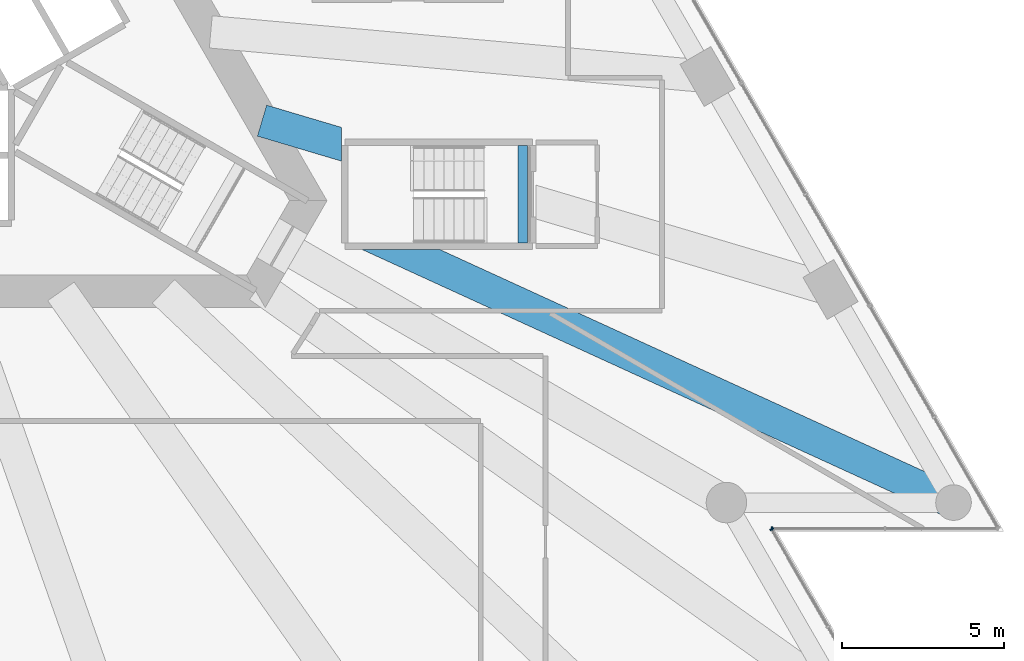
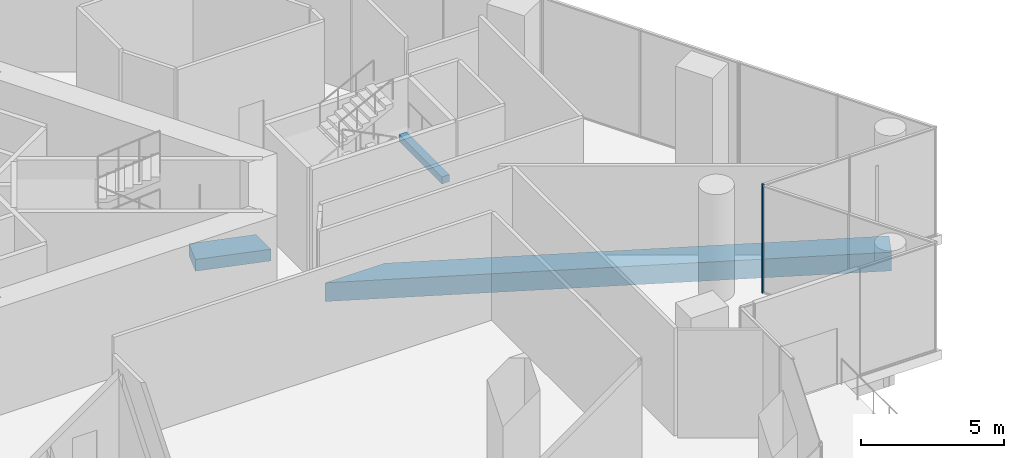
# One storey, part 10 of 32: 3 beams, 2 members, 2 elements without a shape of their own.
"""IFC4 building model written with IfcOpenShell, lengths in metres."""

from ifc_helpers import new_model, si_unit, direction, frame, origin, origin_2d, place, context, subcontext, project, spatial, rectangle, extrude, clip, halfspace, material, layer, layer_set, material_profile, profile_set, type_object, element, aggregate, save


model = new_model("IFC4")

# Units and contexts
model_context = context("Model", 3, precision=1e-05, world=origin(), true_north=direction((0.0, 1.0)))
body_context = subcontext(model_context, "Body", "Model", "MODEL_VIEW")
ifc_project = project(units=[si_unit("LENGTHUNIT", "METRE"), si_unit("AREAUNIT", "SQUARE_METRE"), si_unit("VOLUMEUNIT", "CUBIC_METRE"), si_unit("PLANEANGLEUNIT", "RADIAN"), si_unit("MASSUNIT", "GRAM", prefix="KILO")], contexts=[model_context])

# Site, building, storey
site_placement = place(None, origin())
site = spatial("IfcSite", under=ifc_project, at=site_placement, CompositionType="ELEMENT")
building_placement = place(site_placement, origin())
building = spatial("IfcBuilding", under=site, at=building_placement, Name="Triada Interchange Tower", CompositionType="ELEMENT")
storey_placement = place(building_placement, frame((0.0, 0.0, 25.300048828125)))
storey = spatial("IfcBuildingStorey", under=building, at=storey_placement, Name="L04", CompositionType="ELEMENT", Elevation=25.300048828125)

# Beam
ifc_material_1 = material(Name="Concrete C35/45", Category="concrete")
ifc_material_profile_1 = material_profile(ifc_material_1, rectangle(XDim=0.300048828125, YDim=0.300048828125, at=origin_2d()), Name="RC 300x300")
ifc_profile_set_1 = profile_set([ifc_material_profile_1], Name="Concrete C35/45")
beam_type_1 = type_object("IfcBeamType", Name="Landing support beam RC 300x300", PredefinedType="BEAM", material=ifc_profile_set_1)
beam_1_placement = place(storey_placement, frame((20.60009765625, -7.5, 2.14990234375), z_axis=(0.0, 1.0, 0.0), x_axis=(-1.0, 0.0, 0.0)))
element("IfcBeam", 1, at=beam_1_placement, inside=storey, type_object=beam_type_1, Name="Landing support beam S04-7 1", PredefinedType="BEAM", context=body_context, shape_type="SweptSolid", body=[
    extrude(rectangle(XDim=0.300048828125, YDim=0.300048828125, at=origin_2d()), origin(), (0.0, 0.0, 1.0), 3.0),
])

# Curtain wall, member
ifc_material_2 = material(Name="Aluminium framed glazing", Category="aluminium")
ifc_layer = layer(ifc_material_2, 0.199951171875)
ifc_layer_set = layer_set([ifc_layer], Name="Curtain wall Winter garden glazing")
curtain_wall_type = type_object("IfcCurtainWallType", Name="Curtain wall Winter garden glazing", PredefinedType="NOTDEFINED", material=ifc_layer_set)
curtain_wall_1_placement = place(storey_placement, origin())
curtain_wall_1 = element("IfcCurtainWall", 2, at=curtain_wall_1_placement, inside=storey, type_object=curtain_wall_type, Name="Winter garden glazing CW010 L04", PredefinedType="NOTDEFINED")
ifc_material_3 = material(Name="Aluminium", Category="aluminium")
ifc_material_profile_2 = material_profile(ifc_material_3, rectangle(XDim=0.1201171875, YDim=0.050048828125, at=origin_2d()), Name="Aluminium mullion")
ifc_profile_set_2 = profile_set([ifc_material_profile_2], Name="Aluminium")
member_type = type_object("IfcMemberType", Name="Mullion Winter garden glazing 120x50", PredefinedType="MULLION", material=ifc_profile_set_2)
member_1_placement = place(storey_placement, frame((28.28857421875, -16.3466796875, 0.0), z_axis=(0.0, 0.0, 1.0), x_axis=(-0.866050272896, -0.499956922962, 0.0)))
member_1 = element("IfcMember", 3, at=member_1_placement, type_object=member_type, Name="CW010 mullion 3", PredefinedType="MULLION", context=body_context, shape_type="SweptSolid", body=[
    extrude(rectangle(XDim=0.1201171875, YDim=0.050048828125, at=origin_2d()), origin(), (0.0, 0.0, 1.0), 4.599853515625),
])
aggregate(curtain_wall_1, [member_1])

curtain_wall_2_placement = place(storey_placement, origin())
curtain_wall_2 = element("IfcCurtainWall", 4, at=curtain_wall_2_placement, inside=storey, type_object=curtain_wall_type, Name="Winter garden glazing CW011 L04", PredefinedType="NOTDEFINED")
member_2_placement = place(storey_placement, frame((28.301025390625, -16.324951171875, 0.0), z_axis=(0.0, 0.0, 1.0), x_axis=(0.0, 1.0, 0.0)))
member_2 = element("IfcMember", 5, at=member_2_placement, type_object=member_type, Name="CW011 mullion 1", PredefinedType="MULLION", context=body_context, shape_type="SweptSolid", body=[
    extrude(rectangle(XDim=0.1201171875, YDim=0.050048828125, at=origin_2d()), origin(), (0.0, 0.0, 1.0), 4.599853515625),
])
aggregate(curtain_wall_2, [member_2])

# Beams
ifc_material_4 = material(Name="Concrete C50/60", Category="concrete")
ifc_material_profile_3 = material_profile(ifc_material_4, rectangle(XDim=1.0, YDim=0.5, at=origin_2d()), Name="RC 1000x500")
ifc_profile_set_3 = profile_set([ifc_material_profile_3], Name="Concrete C50/60")
beam_type_2 = type_object("IfcBeamType", Name="Radial band beam P RC 1000x500", PredefinedType="BEAM", material=ifc_profile_set_3)
beam_2_placement = place(storey_placement, frame((16.43798828125, -4.884033203125, -0.650146484375), z_axis=(-0.95858381739, 0.284810577468, 0.0), x_axis=(-0.284810577468, -0.95858381739, 0.0)))
element("IfcBeam", 6, at=beam_2_placement, inside=storey, type_object=beam_type_2, Name="Radial band beam BP22B L04", PredefinedType="BEAM", context=body_context, shape_type="Clipping", body=[
    clip(extrude(rectangle(XDim=1.0, YDim=0.5, at=origin_2d()), origin(), (0.0, 0.0, 1.0), 4.062255859375), halfspace(frame((3.10888671875, -24.64990234375, 0.576416015625), z_axis=(-0.284810577468, 0.0, -0.95858381739), x_axis=(0.0, 1.0, 0.0)), False)),
])
ifc_material_profile_4 = material_profile(ifc_material_4, rectangle(XDim=1.0, YDim=0.800048828125, at=origin_2d()), Name="RC 1000x800")
ifc_profile_set_4 = profile_set([ifc_material_profile_4], Name="Concrete C50/60")
beam_type_3 = type_object("IfcBeamType", Name="Radial band beam P RC 1000x800", PredefinedType="BEAM", material=ifc_profile_set_4)
beam_3_placement = place(storey_placement, frame((33.905029296875, -15.52490234375, -0.800048828125), z_axis=(-0.909200707798, 0.41635810661, 0.0), x_axis=(-0.41635810661, -0.909200707798, 0.0)))
element("IfcBeam", 7, at=beam_3_placement, inside=storey, type_object=beam_type_3, Name="Radial band beam BP21A L04", PredefinedType="BEAM", context=body_context, shape_type="Clipping", body=[
    clip(extrude(rectangle(XDim=1.0, YDim=0.800048828125, at=origin_2d()), origin(), (0.0, 0.0, 1.0), 20.294921875), halfspace(frame((-1.741455078125, -24.5, 14.9912109375), z_axis=(-0.909200707798, 0.0, 0.41635810661), x_axis=(0.0, 1.0, 0.0)), False)),
])

save(model, "model.ifc")
